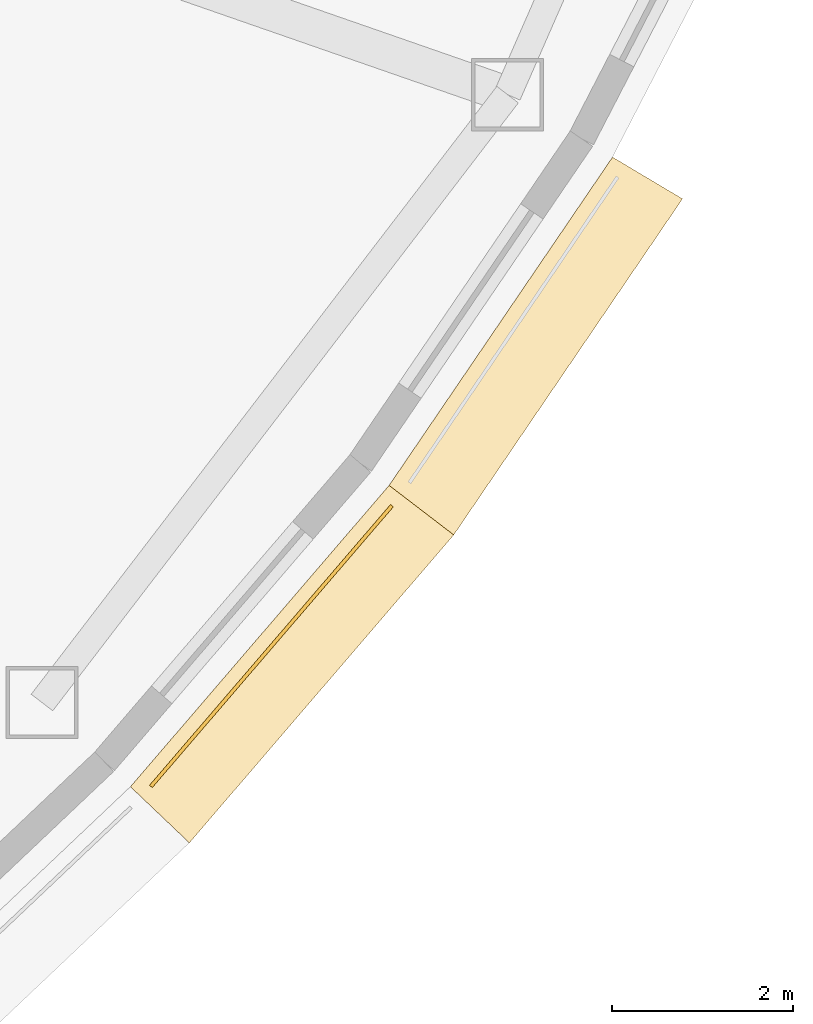
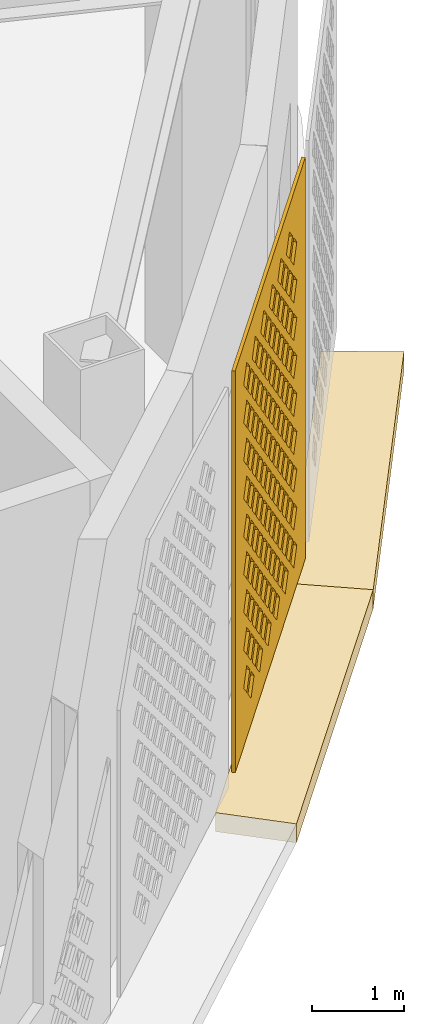
# One storey, part 71 of 74: 3 coverings.
"""IFC4 building model written with IfcOpenShell, lengths in metres."""

from ifc_helpers import new_model, si_unit, direction, frame, origin, place, context, subcontext, project, spatial, polyline, outline, extrude, material, layer, layer_set, type_object, element, save


model = new_model("IFC4")

# Units and contexts
model_context = context("Model", 3, precision=1e-05, world=origin(), true_north=direction((0.0, 1.0)))
body_context = subcontext(model_context, "Body", "Model", "MODEL_VIEW")
ifc_project = project(units=[si_unit("LENGTHUNIT", "METRE"), si_unit("AREAUNIT", "SQUARE_METRE"), si_unit("VOLUMEUNIT", "CUBIC_METRE"), si_unit("PLANEANGLEUNIT", "RADIAN"), si_unit("MASSUNIT", "GRAM", prefix="KILO")], contexts=[model_context])

# Site, building, storey
site_placement = place(None, origin())
site = spatial("IfcSite", under=ifc_project, at=site_placement, CompositionType="ELEMENT")
building_placement = place(site_placement, origin())
building = spatial("IfcBuilding", under=site, at=building_placement, Name="Noorbagh Ring Tower", CompositionType="ELEMENT")
storey_placement = place(building_placement, frame((0.0, 0.0, 13.5)))
storey = spatial("IfcBuildingStorey", under=building, at=storey_placement, Name="L02", CompositionType="ELEMENT", Elevation=13.5)

# Coverings
ifc_material_1 = material(Name="Red sandstone eave", Category="masonry")
covering_type_1 = type_object("IfcCoveringType", Name="STY-CHHAJJA", PredefinedType="USERDEFINED", material=ifc_material_1)
covering_1_placement = place(storey_placement, frame((0.0, 0.0, -0.25)))
element("IfcCovering", 1, at=covering_1_placement, inside=storey, type_object=covering_type_1, Name="Chhajja eave", ObjectType="CHHAJJA", PredefinedType="USERDEFINED", context=body_context, shape_type="SweptSolid", body=[
    extrude(outline(polyline([(41.906494140625, -23.682373046875), (44.77001953125, -20.346923828125), (45.485595703125, -20.89501953125), (42.55908203125, -24.3037109375), (41.906494140625, -23.682373046875)])), origin(), (0.0, 0.0, 1.0), 0.25),
])
covering_2_placement = place(storey_placement, frame((0.0, 0.0, -0.25)))
element("IfcCovering", 2, at=covering_2_placement, inside=storey, type_object=covering_type_1, Name="Chhajja eave", ObjectType="CHHAJJA", PredefinedType="USERDEFINED", context=body_context, shape_type="SweptSolid", body=[
    extrude(outline(polyline([(44.77001953125, -20.346923828125), (47.2431640625, -16.71337890625), (48.017578125, -17.175048828125), (45.485595703125, -20.89501953125), (44.77001953125, -20.346923828125)])), origin(), (0.0, 0.0, 1.0), 0.25),
])
ifc_material_2 = material(Name="Red sandstone jali", Category="masonry")
ifc_layer = layer(ifc_material_2, 0.0400390625)
ifc_layer_set = layer_set([ifc_layer], Name="Red sandstone jali")
covering_type_2 = type_object("IfcCoveringType", Name="STY-JALI", PredefinedType="USERDEFINED", material=ifc_layer_set)
covering_3_placement = place(storey_placement, frame((42.1484375, -23.692138671875, 0.449951171875), z_axis=(0.758717747284, -0.651419511495, 0.0), x_axis=(0.651419511495, 0.758717747284, 0.0)))
element("IfcCovering", 3, at=covering_3_placement, inside=storey, type_object=covering_type_2, Name="Jali screen", ObjectType="SCREEN", PredefinedType="USERDEFINED", context=body_context, shape_type="SweptSolid", body=[
    extrude(outline(polyline([(0.0, 0.0), (4.095703125, 0.0), (4.095703125, 5.300048828125), (0.0, 5.300048828125), (0.0, 0.0)]), holes=[polyline([(0.742919921875, 0.52490234375), (0.9228515625, 0.344970703125), (1.102783203125, 0.52490234375), (0.9228515625, 0.705078125), (0.742919921875, 0.52490234375)]), polyline([(1.242919921875, 0.52490234375), (1.4228515625, 0.344970703125), (1.602783203125, 0.52490234375), (1.4228515625, 0.705078125), (1.242919921875, 0.52490234375)]), polyline([(1.742919921875, 0.52490234375), (1.9228515625, 0.344970703125), (2.102783203125, 0.52490234375), (1.9228515625, 0.705078125), (1.742919921875, 0.52490234375)]), polyline([(2.242919921875, 0.52490234375), (2.4228515625, 0.344970703125), (2.602783203125, 0.52490234375), (2.4228515625, 0.705078125), (2.242919921875, 0.52490234375)]), polyline([(2.742919921875, 0.52490234375), (2.9228515625, 0.344970703125), (3.102783203125, 0.52490234375), (2.9228515625, 0.705078125), (2.742919921875, 0.52490234375)]), polyline([(3.242919921875, 0.52490234375), (3.4228515625, 0.344970703125), (3.602783203125, 0.52490234375), (3.4228515625, 0.705078125), (3.242919921875, 0.52490234375)]), polyline([(0.492919921875, 0.77490234375), (0.6728515625, 0.594970703125), (0.852783203125, 0.77490234375), (0.6728515625, 0.955078125), (0.492919921875, 0.77490234375)]), polyline([(0.992919921875, 0.77490234375), (1.1728515625, 0.594970703125), (1.352783203125, 0.77490234375), (1.1728515625, 0.955078125), (0.992919921875, 0.77490234375)]), polyline([(1.492919921875, 0.77490234375), (1.6728515625, 0.594970703125), (1.852783203125, 0.77490234375), (1.6728515625, 0.955078125), (1.492919921875, 0.77490234375)]), polyline([(1.992919921875, 0.77490234375), (2.1728515625, 0.594970703125), (2.352783203125, 0.77490234375), (2.1728515625, 0.955078125), (1.992919921875, 0.77490234375)]), polyline([(2.492919921875, 0.77490234375), (2.6728515625, 0.594970703125), (2.852783203125, 0.77490234375), (2.6728515625, 0.955078125), (2.492919921875, 0.77490234375)]), polyline([(2.992919921875, 0.77490234375), (3.1728515625, 0.594970703125), (3.352783203125, 0.77490234375), (3.1728515625, 0.955078125), (2.992919921875, 0.77490234375)]), polyline([(0.742919921875, 1.02490234375), (0.9228515625, 0.844970703125), (1.102783203125, 1.02490234375), (0.9228515625, 1.205078125), (0.742919921875, 1.02490234375)]), polyline([(1.242919921875, 1.02490234375), (1.4228515625, 0.844970703125), (1.602783203125, 1.02490234375), (1.4228515625, 1.205078125), (1.242919921875, 1.02490234375)]), polyline([(1.742919921875, 1.02490234375), (1.9228515625, 0.844970703125), (2.102783203125, 1.02490234375), (1.9228515625, 1.205078125), (1.742919921875, 1.02490234375)]), polyline([(2.242919921875, 1.02490234375), (2.4228515625, 0.844970703125), (2.602783203125, 1.02490234375), (2.4228515625, 1.205078125), (2.242919921875, 1.02490234375)]), polyline([(2.742919921875, 1.02490234375), (2.9228515625, 0.844970703125), (3.102783203125, 1.02490234375), (2.9228515625, 1.205078125), (2.742919921875, 1.02490234375)]), polyline([(3.242919921875, 1.02490234375), (3.4228515625, 0.844970703125), (3.602783203125, 1.02490234375), (3.4228515625, 1.205078125), (3.242919921875, 1.02490234375)]), polyline([(0.492919921875, 1.27490234375), (0.6728515625, 1.094970703125), (0.852783203125, 1.27490234375), (0.6728515625, 1.455078125), (0.492919921875, 1.27490234375)]), polyline([(0.992919921875, 1.27490234375), (1.1728515625, 1.094970703125), (1.352783203125, 1.27490234375), (1.1728515625, 1.455078125), (0.992919921875, 1.27490234375)]), polyline([(1.492919921875, 1.27490234375), (1.6728515625, 1.094970703125), (1.852783203125, 1.27490234375), (1.6728515625, 1.455078125), (1.492919921875, 1.27490234375)]), polyline([(1.992919921875, 1.27490234375), (2.1728515625, 1.094970703125), (2.352783203125, 1.27490234375), (2.1728515625, 1.455078125), (1.992919921875, 1.27490234375)]), polyline([(2.492919921875, 1.27490234375), (2.6728515625, 1.094970703125), (2.852783203125, 1.27490234375), (2.6728515625, 1.455078125), (2.492919921875, 1.27490234375)]), polyline([(2.992919921875, 1.27490234375), (3.1728515625, 1.094970703125), (3.352783203125, 1.27490234375), (3.1728515625, 1.455078125), (2.992919921875, 1.27490234375)]), polyline([(0.742919921875, 1.52490234375), (0.9228515625, 1.344970703125), (1.102783203125, 1.52490234375), (0.9228515625, 1.705078125), (0.742919921875, 1.52490234375)]), polyline([(1.242919921875, 1.52490234375), (1.4228515625, 1.344970703125), (1.602783203125, 1.52490234375), (1.4228515625, 1.705078125), (1.242919921875, 1.52490234375)]), polyline([(1.742919921875, 1.52490234375), (1.9228515625, 1.344970703125), (2.102783203125, 1.52490234375), (1.9228515625, 1.705078125), (1.742919921875, 1.52490234375)]), polyline([(2.242919921875, 1.52490234375), (2.4228515625, 1.344970703125), (2.602783203125, 1.52490234375), (2.4228515625, 1.705078125), (2.242919921875, 1.52490234375)]), polyline([(2.742919921875, 1.52490234375), (2.9228515625, 1.344970703125), (3.102783203125, 1.52490234375), (2.9228515625, 1.705078125), (2.742919921875, 1.52490234375)]), polyline([(3.242919921875, 1.52490234375), (3.4228515625, 1.344970703125), (3.602783203125, 1.52490234375), (3.4228515625, 1.705078125), (3.242919921875, 1.52490234375)]), polyline([(0.492919921875, 1.77490234375), (0.6728515625, 1.594970703125), (0.852783203125, 1.77490234375), (0.6728515625, 1.955078125), (0.492919921875, 1.77490234375)]), polyline([(0.992919921875, 1.77490234375), (1.1728515625, 1.594970703125), (1.352783203125, 1.77490234375), (1.1728515625, 1.955078125), (0.992919921875, 1.77490234375)]), polyline([(1.492919921875, 1.77490234375), (1.6728515625, 1.594970703125), (1.852783203125, 1.77490234375), (1.6728515625, 1.955078125), (1.492919921875, 1.77490234375)]), polyline([(1.992919921875, 1.77490234375), (2.1728515625, 1.594970703125), (2.352783203125, 1.77490234375), (2.1728515625, 1.955078125), (1.992919921875, 1.77490234375)]), polyline([(2.492919921875, 1.77490234375), (2.6728515625, 1.594970703125), (2.852783203125, 1.77490234375), (2.6728515625, 1.955078125), (2.492919921875, 1.77490234375)]), polyline([(2.992919921875, 1.77490234375), (3.1728515625, 1.594970703125), (3.352783203125, 1.77490234375), (3.1728515625, 1.955078125), (2.992919921875, 1.77490234375)]), polyline([(0.742919921875, 2.02490234375), (0.9228515625, 1.844970703125), (1.102783203125, 2.02490234375), (0.9228515625, 2.205078125), (0.742919921875, 2.02490234375)]), polyline([(1.242919921875, 2.02490234375), (1.4228515625, 1.844970703125), (1.602783203125, 2.02490234375), (1.4228515625, 2.205078125), (1.242919921875, 2.02490234375)]), polyline([(1.742919921875, 2.02490234375), (1.9228515625, 1.844970703125), (2.102783203125, 2.02490234375), (1.9228515625, 2.205078125), (1.742919921875, 2.02490234375)]), polyline([(2.242919921875, 2.02490234375), (2.4228515625, 1.844970703125), (2.602783203125, 2.02490234375), (2.4228515625, 2.205078125), (2.242919921875, 2.02490234375)]), polyline([(2.742919921875, 2.02490234375), (2.9228515625, 1.844970703125), (3.102783203125, 2.02490234375), (2.9228515625, 2.205078125), (2.742919921875, 2.02490234375)]), polyline([(3.242919921875, 2.02490234375), (3.4228515625, 1.844970703125), (3.602783203125, 2.02490234375), (3.4228515625, 2.205078125), (3.242919921875, 2.02490234375)]), polyline([(0.492919921875, 2.27490234375), (0.6728515625, 2.094970703125), (0.852783203125, 2.27490234375), (0.6728515625, 2.455078125), (0.492919921875, 2.27490234375)]), polyline([(0.992919921875, 2.27490234375), (1.1728515625, 2.094970703125), (1.352783203125, 2.27490234375), (1.1728515625, 2.455078125), (0.992919921875, 2.27490234375)]), polyline([(1.492919921875, 2.27490234375), (1.6728515625, 2.094970703125), (1.852783203125, 2.27490234375), (1.6728515625, 2.455078125), (1.492919921875, 2.27490234375)]), polyline([(1.992919921875, 2.27490234375), (2.1728515625, 2.094970703125), (2.352783203125, 2.27490234375), (2.1728515625, 2.455078125), (1.992919921875, 2.27490234375)]), polyline([(2.492919921875, 2.27490234375), (2.6728515625, 2.094970703125), (2.852783203125, 2.27490234375), (2.6728515625, 2.455078125), (2.492919921875, 2.27490234375)]), polyline([(2.992919921875, 2.27490234375), (3.1728515625, 2.094970703125), (3.352783203125, 2.27490234375), (3.1728515625, 2.455078125), (2.992919921875, 2.27490234375)]), polyline([(0.742919921875, 2.52490234375), (0.9228515625, 2.344970703125), (1.102783203125, 2.52490234375), (0.9228515625, 2.705078125), (0.742919921875, 2.52490234375)]), polyline([(1.242919921875, 2.52490234375), (1.4228515625, 2.344970703125), (1.602783203125, 2.52490234375), (1.4228515625, 2.705078125), (1.242919921875, 2.52490234375)]), polyline([(1.742919921875, 2.52490234375), (1.9228515625, 2.344970703125), (2.102783203125, 2.52490234375), (1.9228515625, 2.705078125), (1.742919921875, 2.52490234375)]), polyline([(2.242919921875, 2.52490234375), (2.4228515625, 2.344970703125), (2.602783203125, 2.52490234375), (2.4228515625, 2.705078125), (2.242919921875, 2.52490234375)]), polyline([(2.742919921875, 2.52490234375), (2.9228515625, 2.344970703125), (3.102783203125, 2.52490234375), (2.9228515625, 2.705078125), (2.742919921875, 2.52490234375)]), polyline([(3.242919921875, 2.52490234375), (3.4228515625, 2.344970703125), (3.602783203125, 2.52490234375), (3.4228515625, 2.705078125), (3.242919921875, 2.52490234375)]), polyline([(0.492919921875, 2.77490234375), (0.6728515625, 2.594970703125), (0.852783203125, 2.77490234375), (0.6728515625, 2.955078125), (0.492919921875, 2.77490234375)]), polyline([(0.992919921875, 2.77490234375), (1.1728515625, 2.594970703125), (1.352783203125, 2.77490234375), (1.1728515625, 2.955078125), (0.992919921875, 2.77490234375)]), polyline([(1.492919921875, 2.77490234375), (1.6728515625, 2.594970703125), (1.852783203125, 2.77490234375), (1.6728515625, 2.955078125), (1.492919921875, 2.77490234375)]), polyline([(1.992919921875, 2.77490234375), (2.1728515625, 2.594970703125), (2.352783203125, 2.77490234375), (2.1728515625, 2.955078125), (1.992919921875, 2.77490234375)]), polyline([(2.492919921875, 2.77490234375), (2.6728515625, 2.594970703125), (2.852783203125, 2.77490234375), (2.6728515625, 2.955078125), (2.492919921875, 2.77490234375)]), polyline([(2.992919921875, 2.77490234375), (3.1728515625, 2.594970703125), (3.352783203125, 2.77490234375), (3.1728515625, 2.955078125), (2.992919921875, 2.77490234375)]), polyline([(0.742919921875, 3.02490234375), (0.9228515625, 2.844970703125), (1.102783203125, 3.02490234375), (0.9228515625, 3.205078125), (0.742919921875, 3.02490234375)]), polyline([(1.242919921875, 3.02490234375), (1.4228515625, 2.844970703125), (1.602783203125, 3.02490234375), (1.4228515625, 3.205078125), (1.242919921875, 3.02490234375)]), polyline([(1.742919921875, 3.02490234375), (1.9228515625, 2.844970703125), (2.102783203125, 3.02490234375), (1.9228515625, 3.205078125), (1.742919921875, 3.02490234375)]), polyline([(2.242919921875, 3.02490234375), (2.4228515625, 2.844970703125), (2.602783203125, 3.02490234375), (2.4228515625, 3.205078125), (2.242919921875, 3.02490234375)]), polyline([(2.742919921875, 3.02490234375), (2.9228515625, 2.844970703125), (3.102783203125, 3.02490234375), (2.9228515625, 3.205078125), (2.742919921875, 3.02490234375)]), polyline([(3.242919921875, 3.02490234375), (3.4228515625, 2.844970703125), (3.602783203125, 3.02490234375), (3.4228515625, 3.205078125), (3.242919921875, 3.02490234375)]), polyline([(0.492919921875, 3.27490234375), (0.6728515625, 3.094970703125), (0.852783203125, 3.27490234375), (0.6728515625, 3.455078125), (0.492919921875, 3.27490234375)]), polyline([(0.992919921875, 3.27490234375), (1.1728515625, 3.094970703125), (1.352783203125, 3.27490234375), (1.1728515625, 3.455078125), (0.992919921875, 3.27490234375)]), polyline([(1.492919921875, 3.27490234375), (1.6728515625, 3.094970703125), (1.852783203125, 3.27490234375), (1.6728515625, 3.455078125), (1.492919921875, 3.27490234375)]), polyline([(1.992919921875, 3.27490234375), (2.1728515625, 3.094970703125), (2.352783203125, 3.27490234375), (2.1728515625, 3.455078125), (1.992919921875, 3.27490234375)]), polyline([(2.492919921875, 3.27490234375), (2.6728515625, 3.094970703125), (2.852783203125, 3.27490234375), (2.6728515625, 3.455078125), (2.492919921875, 3.27490234375)]), polyline([(2.992919921875, 3.27490234375), (3.1728515625, 3.094970703125), (3.352783203125, 3.27490234375), (3.1728515625, 3.455078125), (2.992919921875, 3.27490234375)]), polyline([(0.742919921875, 3.52490234375), (0.9228515625, 3.344970703125), (1.102783203125, 3.52490234375), (0.9228515625, 3.705078125), (0.742919921875, 3.52490234375)]), polyline([(1.242919921875, 3.52490234375), (1.4228515625, 3.344970703125), (1.602783203125, 3.52490234375), (1.4228515625, 3.705078125), (1.242919921875, 3.52490234375)]), polyline([(1.742919921875, 3.52490234375), (1.9228515625, 3.344970703125), (2.102783203125, 3.52490234375), (1.9228515625, 3.705078125), (1.742919921875, 3.52490234375)]), polyline([(2.242919921875, 3.52490234375), (2.4228515625, 3.344970703125), (2.602783203125, 3.52490234375), (2.4228515625, 3.705078125), (2.242919921875, 3.52490234375)]), polyline([(2.742919921875, 3.52490234375), (2.9228515625, 3.344970703125), (3.102783203125, 3.52490234375), (2.9228515625, 3.705078125), (2.742919921875, 3.52490234375)]), polyline([(3.242919921875, 3.52490234375), (3.4228515625, 3.344970703125), (3.602783203125, 3.52490234375), (3.4228515625, 3.705078125), (3.242919921875, 3.52490234375)]), polyline([(0.492919921875, 3.77490234375), (0.6728515625, 3.594970703125), (0.852783203125, 3.77490234375), (0.6728515625, 3.955078125), (0.492919921875, 3.77490234375)]), polyline([(0.992919921875, 3.77490234375), (1.1728515625, 3.594970703125), (1.352783203125, 3.77490234375), (1.1728515625, 3.955078125), (0.992919921875, 3.77490234375)]), polyline([(1.492919921875, 3.77490234375), (1.6728515625, 3.594970703125), (1.852783203125, 3.77490234375), (1.6728515625, 3.955078125), (1.492919921875, 3.77490234375)]), polyline([(1.992919921875, 3.77490234375), (2.1728515625, 3.594970703125), (2.352783203125, 3.77490234375), (2.1728515625, 3.955078125), (1.992919921875, 3.77490234375)]), polyline([(2.492919921875, 3.77490234375), (2.6728515625, 3.594970703125), (2.852783203125, 3.77490234375), (2.6728515625, 3.955078125), (2.492919921875, 3.77490234375)]), polyline([(2.992919921875, 3.77490234375), (3.1728515625, 3.594970703125), (3.352783203125, 3.77490234375), (3.1728515625, 3.955078125), (2.992919921875, 3.77490234375)]), polyline([(0.742919921875, 4.02490234375), (0.9228515625, 3.844970703125), (1.102783203125, 4.02490234375), (0.9228515625, 4.205078125), (0.742919921875, 4.02490234375)]), polyline([(1.242919921875, 4.02490234375), (1.4228515625, 3.844970703125), (1.602783203125, 4.02490234375), (1.4228515625, 4.205078125), (1.242919921875, 4.02490234375)]), polyline([(1.742919921875, 4.02490234375), (1.9228515625, 3.844970703125), (2.102783203125, 4.02490234375), (1.9228515625, 4.205078125), (1.742919921875, 4.02490234375)]), polyline([(2.242919921875, 4.02490234375), (2.4228515625, 3.844970703125), (2.602783203125, 4.02490234375), (2.4228515625, 4.205078125), (2.242919921875, 4.02490234375)]), polyline([(2.742919921875, 4.02490234375), (2.9228515625, 3.844970703125), (3.102783203125, 4.02490234375), (2.9228515625, 4.205078125), (2.742919921875, 4.02490234375)]), polyline([(3.242919921875, 4.02490234375), (3.4228515625, 3.844970703125), (3.602783203125, 4.02490234375), (3.4228515625, 4.205078125), (3.242919921875, 4.02490234375)]), polyline([(0.492919921875, 4.27490234375), (0.6728515625, 4.094970703125), (0.852783203125, 4.27490234375), (0.6728515625, 4.455078125), (0.492919921875, 4.27490234375)]), polyline([(0.992919921875, 4.27490234375), (1.1728515625, 4.094970703125), (1.352783203125, 4.27490234375), (1.1728515625, 4.455078125), (0.992919921875, 4.27490234375)]), polyline([(1.492919921875, 4.27490234375), (1.6728515625, 4.094970703125), (1.852783203125, 4.27490234375), (1.6728515625, 4.455078125), (1.492919921875, 4.27490234375)]), polyline([(1.992919921875, 4.27490234375), (2.1728515625, 4.094970703125), (2.352783203125, 4.27490234375), (2.1728515625, 4.455078125), (1.992919921875, 4.27490234375)]), polyline([(2.492919921875, 4.27490234375), (2.6728515625, 4.094970703125), (2.852783203125, 4.27490234375), (2.6728515625, 4.455078125), (2.492919921875, 4.27490234375)]), polyline([(2.992919921875, 4.27490234375), (3.1728515625, 4.094970703125), (3.352783203125, 4.27490234375), (3.1728515625, 4.455078125), (2.992919921875, 4.27490234375)]), polyline([(0.742919921875, 4.52490234375), (0.9228515625, 4.344970703125), (1.102783203125, 4.52490234375), (0.9228515625, 4.705078125), (0.742919921875, 4.52490234375)]), polyline([(1.242919921875, 4.52490234375), (1.4228515625, 4.344970703125), (1.602783203125, 4.52490234375), (1.4228515625, 4.705078125), (1.242919921875, 4.52490234375)]), polyline([(1.742919921875, 4.52490234375), (1.9228515625, 4.344970703125), (2.102783203125, 4.52490234375), (1.9228515625, 4.705078125), (1.742919921875, 4.52490234375)]), polyline([(2.242919921875, 4.52490234375), (2.4228515625, 4.344970703125), (2.602783203125, 4.52490234375), (2.4228515625, 4.705078125), (2.242919921875, 4.52490234375)]), polyline([(2.742919921875, 4.52490234375), (2.9228515625, 4.344970703125), (3.102783203125, 4.52490234375), (2.9228515625, 4.705078125), (2.742919921875, 4.52490234375)]), polyline([(3.242919921875, 4.52490234375), (3.4228515625, 4.344970703125), (3.602783203125, 4.52490234375), (3.4228515625, 4.705078125), (3.242919921875, 4.52490234375)]), polyline([(0.492919921875, 4.77490234375), (0.6728515625, 4.594970703125), (0.852783203125, 4.77490234375), (0.6728515625, 4.955078125), (0.492919921875, 4.77490234375)]), polyline([(0.992919921875, 4.77490234375), (1.1728515625, 4.594970703125), (1.352783203125, 4.77490234375), (1.1728515625, 4.955078125), (0.992919921875, 4.77490234375)]), polyline([(1.492919921875, 4.77490234375), (1.6728515625, 4.594970703125), (1.852783203125, 4.77490234375), (1.6728515625, 4.955078125), (1.492919921875, 4.77490234375)]), polyline([(1.992919921875, 4.77490234375), (2.1728515625, 4.594970703125), (2.352783203125, 4.77490234375), (2.1728515625, 4.955078125), (1.992919921875, 4.77490234375)]), polyline([(2.492919921875, 4.77490234375), (2.6728515625, 4.594970703125), (2.852783203125, 4.77490234375), (2.6728515625, 4.955078125), (2.492919921875, 4.77490234375)]), polyline([(2.992919921875, 4.77490234375), (3.1728515625, 4.594970703125), (3.352783203125, 4.77490234375), (3.1728515625, 4.955078125), (2.992919921875, 4.77490234375)])]), origin(), (0.0, 0.0, -1.0), 0.0400390625),
])

save(model, "model.ifc")
